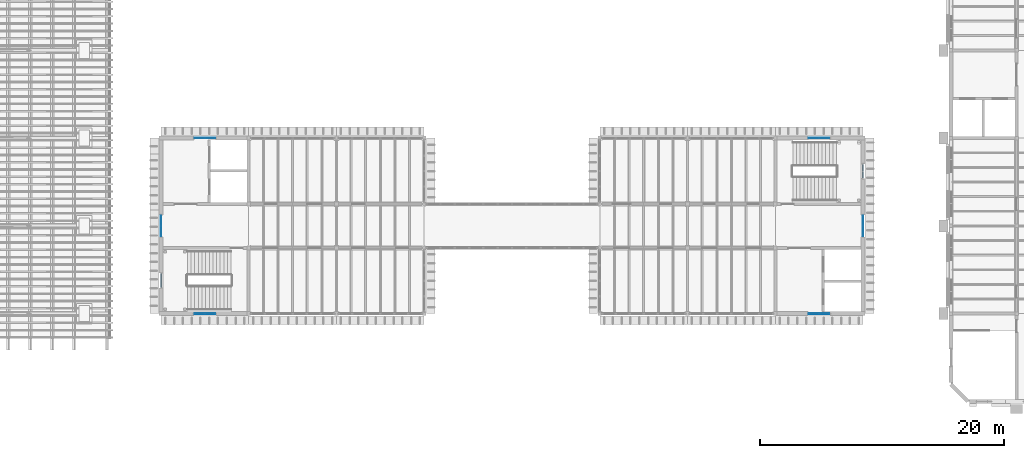
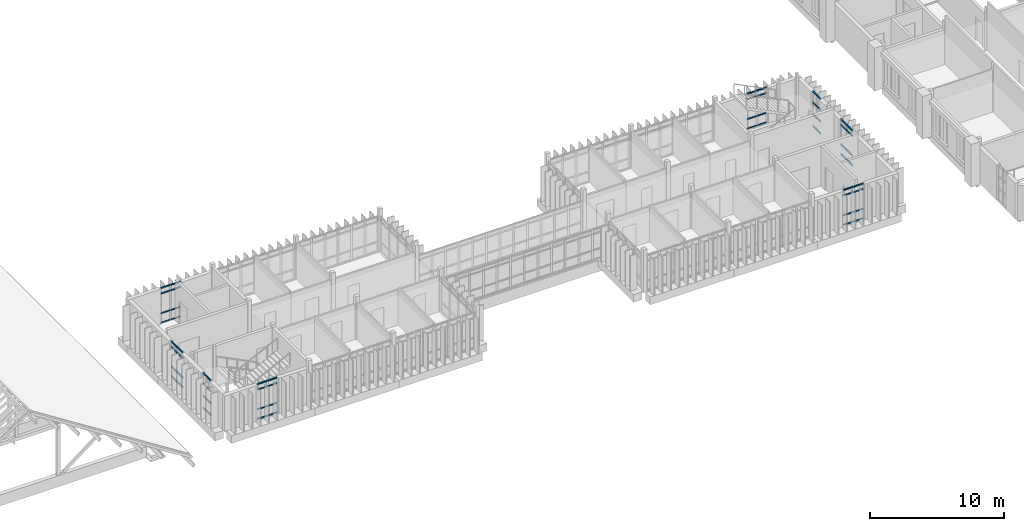
# One storey, part 24 of 71: 64 members, 8 elements without a shape of their own.
"""IFC4 building model written with IfcOpenShell, lengths in metres."""

from ifc_helpers import new_model, si_unit, direction, frame, origin, origin_2d, place, context, subcontext, project, spatial, rectangle, extrude, material, layer, layer_set, material_profile, profile_set, type_object, element, aggregate, save


model = new_model("IFC4")

# Units and contexts
model_context = context("Model", 3, precision=1e-05, world=origin(), true_north=direction((0.0, 1.0)))
body_context = subcontext(model_context, "Body", "Model", "MODEL_VIEW")
ifc_project = project(units=[si_unit("LENGTHUNIT", "METRE"), si_unit("AREAUNIT", "SQUARE_METRE"), si_unit("VOLUMEUNIT", "CUBIC_METRE"), si_unit("PLANEANGLEUNIT", "RADIAN"), si_unit("MASSUNIT", "GRAM", prefix="KILO")], contexts=[model_context])

# Site, building, storey
site_placement = place(None, origin())
site = spatial("IfcSite", under=ifc_project, at=site_placement, CompositionType="ELEMENT")
building_placement = place(site_placement, origin())
building = spatial("IfcBuilding", under=site, at=building_placement, Name="Mazhai Court Health Centre", CompositionType="ELEMENT")
storey_placement = place(building_placement, frame((0.0, 0.0, 10.199951171875)))
storey = spatial("IfcBuildingStorey", under=building, at=storey_placement, Name="L02", CompositionType="ELEMENT", Elevation=10.199951171875)

# Curtain wall, members
ifc_material_1 = material(Name="Teak timber frame, glazed", Category="wood")
ifc_layer_1 = layer(ifc_material_1, 0.10009765625)
ifc_layer_set_1 = layer_set([ifc_layer_1], Name="CURTAIN WALL TIMBER 900")
curtain_wall_type_1 = type_object("IfcCurtainWallType", Name="CURTAIN WALL TIMBER 900", PredefinedType="NOTDEFINED", material=ifc_layer_set_1)
curtain_wall_1_placement = place(storey_placement, origin())
curtain_wall_1 = element("IfcCurtainWall", 1, at=curtain_wall_1_placement, inside=storey, type_object=curtain_wall_type_1, Name="CW-V4-L02-A0", PredefinedType="NOTDEFINED")
ifc_material_2 = material(Name="Teak timber", Category="wood")
ifc_material_profile = material_profile(ifc_material_2, rectangle(XDim=0.06005859375, YDim=0.1201171875, at=origin_2d()), Name="CW TRANSOM 60x120")
ifc_profile_set = profile_set([ifc_material_profile], Name="Teak timber")
member_type = type_object("IfcMemberType", Name="CW TRANSOM 60x120", PredefinedType="USERDEFINED", material=ifc_profile_set)
member_1_placement = place(storey_placement, frame((75.43994140625, 13.39990234375, 0.030029296875), z_axis=(-1.0, 0.0, 0.0), x_axis=(0.0, -1.0, 0.0)))
member_1 = element("IfcMember", 2, at=member_1_placement, type_object=member_type, Name="CW transom 1.1", ObjectType="TRANSOM", PredefinedType="USERDEFINED", context=body_context, shape_type="SweptSolid", body=[
    extrude(rectangle(XDim=0.06005859375, YDim=0.1201171875, at=origin_2d()), origin(), (0.0, 0.0, 1.0), 0.81005859375),
])
member_2_placement = place(storey_placement, frame((75.43994140625, 13.39990234375, 0.900146484375), z_axis=(-1.0, 0.0, 0.0), x_axis=(0.0, -1.0, 0.0)))
member_2 = element("IfcMember", 3, at=member_2_placement, type_object=member_type, Name="CW transom 1.2", ObjectType="TRANSOM", PredefinedType="USERDEFINED", context=body_context, shape_type="SweptSolid", body=[
    extrude(rectangle(XDim=0.06005859375, YDim=0.1201171875, at=origin_2d()), origin(), (0.0, 0.0, 1.0), 0.81005859375),
])
member_3_placement = place(storey_placement, frame((75.43994140625, 13.39990234375, 2.699951171875), z_axis=(-1.0, 0.0, 0.0), x_axis=(0.0, -1.0, 0.0)))
member_3 = element("IfcMember", 4, at=member_3_placement, type_object=member_type, Name="CW transom 1.3", ObjectType="TRANSOM", PredefinedType="USERDEFINED", context=body_context, shape_type="SweptSolid", body=[
    extrude(rectangle(XDim=0.06005859375, YDim=0.1201171875, at=origin_2d()), origin(), (0.0, 0.0, 1.0), 0.81005859375),
])
member_4_placement = place(storey_placement, frame((75.43994140625, 13.39990234375, 3.18994140625), z_axis=(-1.0, 0.0, 0.0), x_axis=(0.0, -1.0, 0.0)))
member_4 = element("IfcMember", 5, at=member_4_placement, type_object=member_type, Name="CW transom 1.4", ObjectType="TRANSOM", PredefinedType="USERDEFINED", context=body_context, shape_type="SweptSolid", body=[
    extrude(rectangle(XDim=0.06005859375, YDim=0.1201171875, at=origin_2d()), origin(), (0.0, 0.0, 1.0), 0.81005859375),
])
member_5_placement = place(storey_placement, frame((74.570068359375, 13.39990234375, 0.030029296875), z_axis=(-1.0, 0.0, 0.0), x_axis=(0.0, -1.0, 0.0)))
member_5 = element("IfcMember", 6, at=member_5_placement, type_object=member_type, Name="CW transom 2.1", ObjectType="TRANSOM", PredefinedType="USERDEFINED", context=body_context, shape_type="SweptSolid", body=[
    extrude(rectangle(XDim=0.06005859375, YDim=0.1201171875, at=origin_2d()), origin(), (0.0, 0.0, 1.0), 0.81005859375),
])
member_6_placement = place(storey_placement, frame((74.570068359375, 13.39990234375, 0.900146484375), z_axis=(-1.0, 0.0, 0.0), x_axis=(0.0, -1.0, 0.0)))
member_6 = element("IfcMember", 7, at=member_6_placement, type_object=member_type, Name="CW transom 2.2", ObjectType="TRANSOM", PredefinedType="USERDEFINED", context=body_context, shape_type="SweptSolid", body=[
    extrude(rectangle(XDim=0.06005859375, YDim=0.1201171875, at=origin_2d()), origin(), (0.0, 0.0, 1.0), 0.81005859375),
])
member_7_placement = place(storey_placement, frame((74.570068359375, 13.39990234375, 2.699951171875), z_axis=(-1.0, 0.0, 0.0), x_axis=(0.0, -1.0, 0.0)))
member_7 = element("IfcMember", 8, at=member_7_placement, type_object=member_type, Name="CW transom 2.3", ObjectType="TRANSOM", PredefinedType="USERDEFINED", context=body_context, shape_type="SweptSolid", body=[
    extrude(rectangle(XDim=0.06005859375, YDim=0.1201171875, at=origin_2d()), origin(), (0.0, 0.0, 1.0), 0.81005859375),
])
member_8_placement = place(storey_placement, frame((74.570068359375, 13.39990234375, 3.18994140625), z_axis=(-1.0, 0.0, 0.0), x_axis=(0.0, -1.0, 0.0)))
member_8 = element("IfcMember", 9, at=member_8_placement, type_object=member_type, Name="CW transom 2.4", ObjectType="TRANSOM", PredefinedType="USERDEFINED", context=body_context, shape_type="SweptSolid", body=[
    extrude(rectangle(XDim=0.06005859375, YDim=0.1201171875, at=origin_2d()), origin(), (0.0, 0.0, 1.0), 0.81005859375),
])
aggregate(curtain_wall_1, [member_1, member_2, member_3, member_4, member_5, member_6, member_7, member_8])

curtain_wall_2_placement = place(storey_placement, origin())
curtain_wall_2 = element("IfcCurtainWall", 10, at=curtain_wall_2_placement, inside=storey, type_object=curtain_wall_type_1, Name="CW-V4-L02-A7", PredefinedType="NOTDEFINED")
member_9_placement = place(storey_placement, frame((125.840087890625, 13.39990234375, 0.030029296875), z_axis=(-1.0, 0.0, 0.0), x_axis=(0.0, -1.0, 0.0)))
member_9 = element("IfcMember", 11, at=member_9_placement, type_object=member_type, Name="CW transom 1.1", ObjectType="TRANSOM", PredefinedType="USERDEFINED", context=body_context, shape_type="SweptSolid", body=[
    extrude(rectangle(XDim=0.06005859375, YDim=0.1201171875, at=origin_2d()), origin(), (0.0, 0.0, 1.0), 0.81005859375),
])
member_10_placement = place(storey_placement, frame((125.840087890625, 13.39990234375, 0.900146484375), z_axis=(-1.0, 0.0, 0.0), x_axis=(0.0, -1.0, 0.0)))
member_10 = element("IfcMember", 12, at=member_10_placement, type_object=member_type, Name="CW transom 1.2", ObjectType="TRANSOM", PredefinedType="USERDEFINED", context=body_context, shape_type="SweptSolid", body=[
    extrude(rectangle(XDim=0.06005859375, YDim=0.1201171875, at=origin_2d()), origin(), (0.0, 0.0, 1.0), 0.81005859375),
])
member_11_placement = place(storey_placement, frame((125.840087890625, 13.39990234375, 2.699951171875), z_axis=(-1.0, 0.0, 0.0), x_axis=(0.0, -1.0, 0.0)))
member_11 = element("IfcMember", 13, at=member_11_placement, type_object=member_type, Name="CW transom 1.3", ObjectType="TRANSOM", PredefinedType="USERDEFINED", context=body_context, shape_type="SweptSolid", body=[
    extrude(rectangle(XDim=0.06005859375, YDim=0.1201171875, at=origin_2d()), origin(), (0.0, 0.0, 1.0), 0.81005859375),
])
member_12_placement = place(storey_placement, frame((125.840087890625, 13.39990234375, 3.18994140625), z_axis=(-1.0, 0.0, 0.0), x_axis=(0.0, -1.0, 0.0)))
member_12 = element("IfcMember", 14, at=member_12_placement, type_object=member_type, Name="CW transom 1.4", ObjectType="TRANSOM", PredefinedType="USERDEFINED", context=body_context, shape_type="SweptSolid", body=[
    extrude(rectangle(XDim=0.06005859375, YDim=0.1201171875, at=origin_2d()), origin(), (0.0, 0.0, 1.0), 0.81005859375),
])
member_13_placement = place(storey_placement, frame((124.969970703125, 13.39990234375, 0.030029296875), z_axis=(-1.0, 0.0, 0.0), x_axis=(0.0, -1.0, 0.0)))
member_13 = element("IfcMember", 15, at=member_13_placement, type_object=member_type, Name="CW transom 2.1", ObjectType="TRANSOM", PredefinedType="USERDEFINED", context=body_context, shape_type="SweptSolid", body=[
    extrude(rectangle(XDim=0.06005859375, YDim=0.1201171875, at=origin_2d()), origin(), (0.0, 0.0, 1.0), 0.81005859375),
])
member_14_placement = place(storey_placement, frame((124.969970703125, 13.39990234375, 0.900146484375), z_axis=(-1.0, 0.0, 0.0), x_axis=(0.0, -1.0, 0.0)))
member_14 = element("IfcMember", 16, at=member_14_placement, type_object=member_type, Name="CW transom 2.2", ObjectType="TRANSOM", PredefinedType="USERDEFINED", context=body_context, shape_type="SweptSolid", body=[
    extrude(rectangle(XDim=0.06005859375, YDim=0.1201171875, at=origin_2d()), origin(), (0.0, 0.0, 1.0), 0.81005859375),
])
member_15_placement = place(storey_placement, frame((124.969970703125, 13.39990234375, 2.699951171875), z_axis=(-1.0, 0.0, 0.0), x_axis=(0.0, -1.0, 0.0)))
member_15 = element("IfcMember", 17, at=member_15_placement, type_object=member_type, Name="CW transom 2.3", ObjectType="TRANSOM", PredefinedType="USERDEFINED", context=body_context, shape_type="SweptSolid", body=[
    extrude(rectangle(XDim=0.06005859375, YDim=0.1201171875, at=origin_2d()), origin(), (0.0, 0.0, 1.0), 0.81005859375),
])
member_16_placement = place(storey_placement, frame((124.969970703125, 13.39990234375, 3.18994140625), z_axis=(-1.0, 0.0, 0.0), x_axis=(0.0, -1.0, 0.0)))
member_16 = element("IfcMember", 18, at=member_16_placement, type_object=member_type, Name="CW transom 2.4", ObjectType="TRANSOM", PredefinedType="USERDEFINED", context=body_context, shape_type="SweptSolid", body=[
    extrude(rectangle(XDim=0.06005859375, YDim=0.1201171875, at=origin_2d()), origin(), (0.0, 0.0, 1.0), 0.81005859375),
])
aggregate(curtain_wall_2, [member_9, member_10, member_11, member_12, member_13, member_14, member_15, member_16])

curtain_wall_3_placement = place(storey_placement, origin())
curtain_wall_3 = element("IfcCurtainWall", 19, at=curtain_wall_3_placement, inside=storey, type_object=curtain_wall_type_1, Name="CW-V4-L02-B0", PredefinedType="NOTDEFINED")
member_17_placement = place(storey_placement, frame((73.760009765625, 27.800048828125, 0.030029296875), z_axis=(1.0, 0.0, 0.0), x_axis=(0.0, 1.0, 0.0)))
member_17 = element("IfcMember", 20, at=member_17_placement, type_object=member_type, Name="CW transom 1.1", ObjectType="TRANSOM", PredefinedType="USERDEFINED", context=body_context, shape_type="SweptSolid", body=[
    extrude(rectangle(XDim=0.06005859375, YDim=0.1201171875, at=origin_2d()), origin(), (0.0, 0.0, 1.0), 0.81005859375),
])
member_18_placement = place(storey_placement, frame((73.760009765625, 27.800048828125, 0.900146484375), z_axis=(1.0, 0.0, 0.0), x_axis=(0.0, 1.0, 0.0)))
member_18 = element("IfcMember", 21, at=member_18_placement, type_object=member_type, Name="CW transom 1.2", ObjectType="TRANSOM", PredefinedType="USERDEFINED", context=body_context, shape_type="SweptSolid", body=[
    extrude(rectangle(XDim=0.06005859375, YDim=0.1201171875, at=origin_2d()), origin(), (0.0, 0.0, 1.0), 0.81005859375),
])
member_19_placement = place(storey_placement, frame((73.760009765625, 27.800048828125, 2.699951171875), z_axis=(1.0, 0.0, 0.0), x_axis=(0.0, 1.0, 0.0)))
member_19 = element("IfcMember", 22, at=member_19_placement, type_object=member_type, Name="CW transom 1.3", ObjectType="TRANSOM", PredefinedType="USERDEFINED", context=body_context, shape_type="SweptSolid", body=[
    extrude(rectangle(XDim=0.06005859375, YDim=0.1201171875, at=origin_2d()), origin(), (0.0, 0.0, 1.0), 0.81005859375),
])
member_20_placement = place(storey_placement, frame((73.760009765625, 27.800048828125, 3.18994140625), z_axis=(1.0, 0.0, 0.0), x_axis=(0.0, 1.0, 0.0)))
member_20 = element("IfcMember", 23, at=member_20_placement, type_object=member_type, Name="CW transom 1.4", ObjectType="TRANSOM", PredefinedType="USERDEFINED", context=body_context, shape_type="SweptSolid", body=[
    extrude(rectangle(XDim=0.06005859375, YDim=0.1201171875, at=origin_2d()), origin(), (0.0, 0.0, 1.0), 0.81005859375),
])
member_21_placement = place(storey_placement, frame((74.6298828125, 27.800048828125, 0.030029296875), z_axis=(1.0, 0.0, 0.0), x_axis=(0.0, 1.0, 0.0)))
member_21 = element("IfcMember", 24, at=member_21_placement, type_object=member_type, Name="CW transom 2.1", ObjectType="TRANSOM", PredefinedType="USERDEFINED", context=body_context, shape_type="SweptSolid", body=[
    extrude(rectangle(XDim=0.06005859375, YDim=0.1201171875, at=origin_2d()), origin(), (0.0, 0.0, 1.0), 0.81005859375),
])
member_22_placement = place(storey_placement, frame((74.6298828125, 27.800048828125, 0.900146484375), z_axis=(1.0, 0.0, 0.0), x_axis=(0.0, 1.0, 0.0)))
member_22 = element("IfcMember", 25, at=member_22_placement, type_object=member_type, Name="CW transom 2.2", ObjectType="TRANSOM", PredefinedType="USERDEFINED", context=body_context, shape_type="SweptSolid", body=[
    extrude(rectangle(XDim=0.06005859375, YDim=0.1201171875, at=origin_2d()), origin(), (0.0, 0.0, 1.0), 0.81005859375),
])
member_23_placement = place(storey_placement, frame((74.6298828125, 27.800048828125, 2.699951171875), z_axis=(1.0, 0.0, 0.0), x_axis=(0.0, 1.0, 0.0)))
member_23 = element("IfcMember", 26, at=member_23_placement, type_object=member_type, Name="CW transom 2.3", ObjectType="TRANSOM", PredefinedType="USERDEFINED", context=body_context, shape_type="SweptSolid", body=[
    extrude(rectangle(XDim=0.06005859375, YDim=0.1201171875, at=origin_2d()), origin(), (0.0, 0.0, 1.0), 0.81005859375),
])
member_24_placement = place(storey_placement, frame((74.6298828125, 27.800048828125, 3.18994140625), z_axis=(1.0, 0.0, 0.0), x_axis=(0.0, 1.0, 0.0)))
member_24 = element("IfcMember", 27, at=member_24_placement, type_object=member_type, Name="CW transom 2.4", ObjectType="TRANSOM", PredefinedType="USERDEFINED", context=body_context, shape_type="SweptSolid", body=[
    extrude(rectangle(XDim=0.06005859375, YDim=0.1201171875, at=origin_2d()), origin(), (0.0, 0.0, 1.0), 0.81005859375),
])
aggregate(curtain_wall_3, [member_17, member_18, member_19, member_20, member_21, member_22, member_23, member_24])

curtain_wall_4_placement = place(storey_placement, origin())
curtain_wall_4 = element("IfcCurtainWall", 28, at=curtain_wall_4_placement, inside=storey, type_object=curtain_wall_type_1, Name="CW-V4-L02-B7", PredefinedType="NOTDEFINED")
member_25_placement = place(storey_placement, frame((124.159912109375, 27.800048828125, 0.030029296875), z_axis=(1.0, 0.0, 0.0), x_axis=(0.0, 1.0, 0.0)))
member_25 = element("IfcMember", 29, at=member_25_placement, type_object=member_type, Name="CW transom 1.1", ObjectType="TRANSOM", PredefinedType="USERDEFINED", context=body_context, shape_type="SweptSolid", body=[
    extrude(rectangle(XDim=0.06005859375, YDim=0.1201171875, at=origin_2d()), origin(), (0.0, 0.0, 1.0), 0.81005859375),
])
member_26_placement = place(storey_placement, frame((124.159912109375, 27.800048828125, 0.900146484375), z_axis=(1.0, 0.0, 0.0), x_axis=(0.0, 1.0, 0.0)))
member_26 = element("IfcMember", 30, at=member_26_placement, type_object=member_type, Name="CW transom 1.2", ObjectType="TRANSOM", PredefinedType="USERDEFINED", context=body_context, shape_type="SweptSolid", body=[
    extrude(rectangle(XDim=0.06005859375, YDim=0.1201171875, at=origin_2d()), origin(), (0.0, 0.0, 1.0), 0.81005859375),
])
member_27_placement = place(storey_placement, frame((124.159912109375, 27.800048828125, 2.699951171875), z_axis=(1.0, 0.0, 0.0), x_axis=(0.0, 1.0, 0.0)))
member_27 = element("IfcMember", 31, at=member_27_placement, type_object=member_type, Name="CW transom 1.3", ObjectType="TRANSOM", PredefinedType="USERDEFINED", context=body_context, shape_type="SweptSolid", body=[
    extrude(rectangle(XDim=0.06005859375, YDim=0.1201171875, at=origin_2d()), origin(), (0.0, 0.0, 1.0), 0.81005859375),
])
member_28_placement = place(storey_placement, frame((124.159912109375, 27.800048828125, 3.18994140625), z_axis=(1.0, 0.0, 0.0), x_axis=(0.0, 1.0, 0.0)))
member_28 = element("IfcMember", 32, at=member_28_placement, type_object=member_type, Name="CW transom 1.4", ObjectType="TRANSOM", PredefinedType="USERDEFINED", context=body_context, shape_type="SweptSolid", body=[
    extrude(rectangle(XDim=0.06005859375, YDim=0.1201171875, at=origin_2d()), origin(), (0.0, 0.0, 1.0), 0.81005859375),
])
member_29_placement = place(storey_placement, frame((125.030029296875, 27.800048828125, 0.030029296875), z_axis=(1.0, 0.0, 0.0), x_axis=(0.0, 1.0, 0.0)))
member_29 = element("IfcMember", 33, at=member_29_placement, type_object=member_type, Name="CW transom 2.1", ObjectType="TRANSOM", PredefinedType="USERDEFINED", context=body_context, shape_type="SweptSolid", body=[
    extrude(rectangle(XDim=0.06005859375, YDim=0.1201171875, at=origin_2d()), origin(), (0.0, 0.0, 1.0), 0.81005859375),
])
member_30_placement = place(storey_placement, frame((125.030029296875, 27.800048828125, 0.900146484375), z_axis=(1.0, 0.0, 0.0), x_axis=(0.0, 1.0, 0.0)))
member_30 = element("IfcMember", 34, at=member_30_placement, type_object=member_type, Name="CW transom 2.2", ObjectType="TRANSOM", PredefinedType="USERDEFINED", context=body_context, shape_type="SweptSolid", body=[
    extrude(rectangle(XDim=0.06005859375, YDim=0.1201171875, at=origin_2d()), origin(), (0.0, 0.0, 1.0), 0.81005859375),
])
member_31_placement = place(storey_placement, frame((125.030029296875, 27.800048828125, 2.699951171875), z_axis=(1.0, 0.0, 0.0), x_axis=(0.0, 1.0, 0.0)))
member_31 = element("IfcMember", 35, at=member_31_placement, type_object=member_type, Name="CW transom 2.3", ObjectType="TRANSOM", PredefinedType="USERDEFINED", context=body_context, shape_type="SweptSolid", body=[
    extrude(rectangle(XDim=0.06005859375, YDim=0.1201171875, at=origin_2d()), origin(), (0.0, 0.0, 1.0), 0.81005859375),
])
member_32_placement = place(storey_placement, frame((125.030029296875, 27.800048828125, 3.18994140625), z_axis=(1.0, 0.0, 0.0), x_axis=(0.0, 1.0, 0.0)))
member_32 = element("IfcMember", 36, at=member_32_placement, type_object=member_type, Name="CW transom 2.4", ObjectType="TRANSOM", PredefinedType="USERDEFINED", context=body_context, shape_type="SweptSolid", body=[
    extrude(rectangle(XDim=0.06005859375, YDim=0.1201171875, at=origin_2d()), origin(), (0.0, 0.0, 1.0), 0.81005859375),
])
aggregate(curtain_wall_4, [member_25, member_26, member_27, member_28, member_29, member_30, member_31, member_32])

ifc_material_3 = material(Name="Teak timber frame, glazed", Category="wood")
ifc_layer_2 = layer(ifc_material_3, 0.10009765625)
ifc_layer_set_2 = layer_set([ifc_layer_2], Name="CURTAIN WALL TIMBER 600")
curtain_wall_type_2 = type_object("IfcCurtainWallType", Name="CURTAIN WALL TIMBER 600", PredefinedType="NOTDEFINED", material=ifc_layer_set_2)
curtain_wall_5_placement = place(storey_placement, origin())
curtain_wall_5 = element("IfcCurtainWall", 37, at=curtain_wall_5_placement, inside=storey, type_object=curtain_wall_type_2, Name="CW-V4-L02-SSTAIR0", PredefinedType="NOTDEFINED")
member_33_placement = place(storey_placement, frame((71.0, 15.580078125, 0.030029296875), z_axis=(0.0, 1.0, 0.0), x_axis=(-1.0, 0.0, 0.0)))
member_33 = element("IfcMember", 38, at=member_33_placement, type_object=member_type, Name="CW transom 1.1", ObjectType="TRANSOM", PredefinedType="USERDEFINED", context=body_context, shape_type="SweptSolid", body=[
    extrude(rectangle(XDim=0.06005859375, YDim=0.1201171875, at=origin_2d()), origin(), (0.0, 0.0, 1.0), 0.510009765625),
])
member_34_placement = place(storey_placement, frame((71.0, 15.580078125, 1.10009765625), z_axis=(0.0, 1.0, 0.0), x_axis=(-1.0, 0.0, 0.0)))
member_34 = element("IfcMember", 39, at=member_34_placement, type_object=member_type, Name="CW transom 1.2", ObjectType="TRANSOM", PredefinedType="USERDEFINED", context=body_context, shape_type="SweptSolid", body=[
    extrude(rectangle(XDim=0.06005859375, YDim=0.1201171875, at=origin_2d()), origin(), (0.0, 0.0, 1.0), 0.510009765625),
])
member_35_placement = place(storey_placement, frame((71.0, 15.580078125, 2.199951171875), z_axis=(0.0, 1.0, 0.0), x_axis=(-1.0, 0.0, 0.0)))
member_35 = element("IfcMember", 40, at=member_35_placement, type_object=member_type, Name="CW transom 1.3", ObjectType="TRANSOM", PredefinedType="USERDEFINED", context=body_context, shape_type="SweptSolid", body=[
    extrude(rectangle(XDim=0.06005859375, YDim=0.1201171875, at=origin_2d()), origin(), (0.0, 0.0, 1.0), 0.510009765625),
])
member_36_placement = place(storey_placement, frame((71.0, 15.580078125, 3.170166015625), z_axis=(0.0, 1.0, 0.0), x_axis=(-1.0, 0.0, 0.0)))
member_36 = element("IfcMember", 41, at=member_36_placement, type_object=member_type, Name="CW transom 1.4", ObjectType="TRANSOM", PredefinedType="USERDEFINED", context=body_context, shape_type="SweptSolid", body=[
    extrude(rectangle(XDim=0.06005859375, YDim=0.1201171875, at=origin_2d()), origin(), (0.0, 0.0, 1.0), 0.510009765625),
])
member_37_placement = place(storey_placement, frame((71.0, 16.14990234375, 0.030029296875), z_axis=(0.0, 1.0, 0.0), x_axis=(-1.0, 0.0, 0.0)))
member_37 = element("IfcMember", 42, at=member_37_placement, type_object=member_type, Name="CW transom 2.1", ObjectType="TRANSOM", PredefinedType="USERDEFINED", context=body_context, shape_type="SweptSolid", body=[
    extrude(rectangle(XDim=0.06005859375, YDim=0.1201171875, at=origin_2d()), origin(), (0.0, 0.0, 1.0), 0.510009765625),
])
member_38_placement = place(storey_placement, frame((71.0, 16.14990234375, 1.10009765625), z_axis=(0.0, 1.0, 0.0), x_axis=(-1.0, 0.0, 0.0)))
member_38 = element("IfcMember", 43, at=member_38_placement, type_object=member_type, Name="CW transom 2.2", ObjectType="TRANSOM", PredefinedType="USERDEFINED", context=body_context, shape_type="SweptSolid", body=[
    extrude(rectangle(XDim=0.06005859375, YDim=0.1201171875, at=origin_2d()), origin(), (0.0, 0.0, 1.0), 0.510009765625),
])
member_39_placement = place(storey_placement, frame((71.0, 16.14990234375, 2.199951171875), z_axis=(0.0, 1.0, 0.0), x_axis=(-1.0, 0.0, 0.0)))
member_39 = element("IfcMember", 44, at=member_39_placement, type_object=member_type, Name="CW transom 2.3", ObjectType="TRANSOM", PredefinedType="USERDEFINED", context=body_context, shape_type="SweptSolid", body=[
    extrude(rectangle(XDim=0.06005859375, YDim=0.1201171875, at=origin_2d()), origin(), (0.0, 0.0, 1.0), 0.510009765625),
])
member_40_placement = place(storey_placement, frame((71.0, 16.14990234375, 3.170166015625), z_axis=(0.0, 1.0, 0.0), x_axis=(-1.0, 0.0, 0.0)))
member_40 = element("IfcMember", 45, at=member_40_placement, type_object=member_type, Name="CW transom 2.4", ObjectType="TRANSOM", PredefinedType="USERDEFINED", context=body_context, shape_type="SweptSolid", body=[
    extrude(rectangle(XDim=0.06005859375, YDim=0.1201171875, at=origin_2d()), origin(), (0.0, 0.0, 1.0), 0.510009765625),
])
aggregate(curtain_wall_5, [member_33, member_34, member_35, member_36, member_37, member_38, member_39, member_40])

curtain_wall_6_placement = place(storey_placement, origin())
curtain_wall_6 = element("IfcCurtainWall", 46, at=curtain_wall_6_placement, inside=storey, type_object=curtain_wall_type_1, Name="CW-V4-L02-SLIFT1", PredefinedType="NOTDEFINED")
member_41_placement = place(storey_placement, frame((71.0, 19.760009765625, 0.030029296875), z_axis=(0.0, 1.0, 0.0), x_axis=(-1.0, 0.0, 0.0)))
member_41 = element("IfcMember", 47, at=member_41_placement, type_object=member_type, Name="CW transom 1.1", ObjectType="TRANSOM", PredefinedType="USERDEFINED", context=body_context, shape_type="SweptSolid", body=[
    extrude(rectangle(XDim=0.06005859375, YDim=0.1201171875, at=origin_2d()), origin(), (0.0, 0.0, 1.0), 0.81005859375),
])
member_42_placement = place(storey_placement, frame((71.0, 19.760009765625, 0.900146484375), z_axis=(0.0, 1.0, 0.0), x_axis=(-1.0, 0.0, 0.0)))
member_42 = element("IfcMember", 48, at=member_42_placement, type_object=member_type, Name="CW transom 1.2", ObjectType="TRANSOM", PredefinedType="USERDEFINED", context=body_context, shape_type="SweptSolid", body=[
    extrude(rectangle(XDim=0.06005859375, YDim=0.1201171875, at=origin_2d()), origin(), (0.0, 0.0, 1.0), 0.81005859375),
])
member_43_placement = place(storey_placement, frame((71.0, 19.760009765625, 2.699951171875), z_axis=(0.0, 1.0, 0.0), x_axis=(-1.0, 0.0, 0.0)))
member_43 = element("IfcMember", 49, at=member_43_placement, type_object=member_type, Name="CW transom 1.3", ObjectType="TRANSOM", PredefinedType="USERDEFINED", context=body_context, shape_type="SweptSolid", body=[
    extrude(rectangle(XDim=0.06005859375, YDim=0.1201171875, at=origin_2d()), origin(), (0.0, 0.0, 1.0), 0.81005859375),
])
member_44_placement = place(storey_placement, frame((71.0, 19.760009765625, 3.170166015625), z_axis=(0.0, 1.0, 0.0), x_axis=(-1.0, 0.0, 0.0)))
member_44 = element("IfcMember", 50, at=member_44_placement, type_object=member_type, Name="CW transom 1.4", ObjectType="TRANSOM", PredefinedType="USERDEFINED", context=body_context, shape_type="SweptSolid", body=[
    extrude(rectangle(XDim=0.06005859375, YDim=0.1201171875, at=origin_2d()), origin(), (0.0, 0.0, 1.0), 0.81005859375),
])
member_45_placement = place(storey_placement, frame((71.0, 20.6298828125, 0.030029296875), z_axis=(0.0, 1.0, 0.0), x_axis=(-1.0, 0.0, 0.0)))
member_45 = element("IfcMember", 51, at=member_45_placement, type_object=member_type, Name="CW transom 2.1", ObjectType="TRANSOM", PredefinedType="USERDEFINED", context=body_context, shape_type="SweptSolid", body=[
    extrude(rectangle(XDim=0.06005859375, YDim=0.1201171875, at=origin_2d()), origin(), (0.0, 0.0, 1.0), 0.81005859375),
])
member_46_placement = place(storey_placement, frame((71.0, 20.6298828125, 0.900146484375), z_axis=(0.0, 1.0, 0.0), x_axis=(-1.0, 0.0, 0.0)))
member_46 = element("IfcMember", 52, at=member_46_placement, type_object=member_type, Name="CW transom 2.2", ObjectType="TRANSOM", PredefinedType="USERDEFINED", context=body_context, shape_type="SweptSolid", body=[
    extrude(rectangle(XDim=0.06005859375, YDim=0.1201171875, at=origin_2d()), origin(), (0.0, 0.0, 1.0), 0.81005859375),
])
member_47_placement = place(storey_placement, frame((71.0, 20.6298828125, 2.699951171875), z_axis=(0.0, 1.0, 0.0), x_axis=(-1.0, 0.0, 0.0)))
member_47 = element("IfcMember", 53, at=member_47_placement, type_object=member_type, Name="CW transom 2.3", ObjectType="TRANSOM", PredefinedType="USERDEFINED", context=body_context, shape_type="SweptSolid", body=[
    extrude(rectangle(XDim=0.06005859375, YDim=0.1201171875, at=origin_2d()), origin(), (0.0, 0.0, 1.0), 0.81005859375),
])
member_48_placement = place(storey_placement, frame((71.0, 20.6298828125, 3.170166015625), z_axis=(0.0, 1.0, 0.0), x_axis=(-1.0, 0.0, 0.0)))
member_48 = element("IfcMember", 54, at=member_48_placement, type_object=member_type, Name="CW transom 2.4", ObjectType="TRANSOM", PredefinedType="USERDEFINED", context=body_context, shape_type="SweptSolid", body=[
    extrude(rectangle(XDim=0.06005859375, YDim=0.1201171875, at=origin_2d()), origin(), (0.0, 0.0, 1.0), 0.81005859375),
])
aggregate(curtain_wall_6, [member_41, member_42, member_43, member_44, member_45, member_46, member_47, member_48])

curtain_wall_7_placement = place(storey_placement, origin())
curtain_wall_7 = element("IfcCurtainWall", 55, at=curtain_wall_7_placement, inside=storey, type_object=curtain_wall_type_1, Name="CW-V4-L02-ELIFT0", PredefinedType="NOTDEFINED")
member_49_placement = place(storey_placement, frame((128.60009765625, 21.43994140625, 0.030029296875), z_axis=(0.0, -1.0, 0.0), x_axis=(1.0, 0.0, 0.0)))
member_49 = element("IfcMember", 56, at=member_49_placement, type_object=member_type, Name="CW transom 1.1", ObjectType="TRANSOM", PredefinedType="USERDEFINED", context=body_context, shape_type="SweptSolid", body=[
    extrude(rectangle(XDim=0.06005859375, YDim=0.1201171875, at=origin_2d()), origin(), (0.0, 0.0, 1.0), 0.81005859375),
])
member_50_placement = place(storey_placement, frame((128.60009765625, 21.43994140625, 0.900146484375), z_axis=(0.0, -1.0, 0.0), x_axis=(1.0, 0.0, 0.0)))
member_50 = element("IfcMember", 57, at=member_50_placement, type_object=member_type, Name="CW transom 1.2", ObjectType="TRANSOM", PredefinedType="USERDEFINED", context=body_context, shape_type="SweptSolid", body=[
    extrude(rectangle(XDim=0.06005859375, YDim=0.1201171875, at=origin_2d()), origin(), (0.0, 0.0, 1.0), 0.81005859375),
])
member_51_placement = place(storey_placement, frame((128.60009765625, 21.43994140625, 2.699951171875), z_axis=(0.0, -1.0, 0.0), x_axis=(1.0, 0.0, 0.0)))
member_51 = element("IfcMember", 58, at=member_51_placement, type_object=member_type, Name="CW transom 1.3", ObjectType="TRANSOM", PredefinedType="USERDEFINED", context=body_context, shape_type="SweptSolid", body=[
    extrude(rectangle(XDim=0.06005859375, YDim=0.1201171875, at=origin_2d()), origin(), (0.0, 0.0, 1.0), 0.81005859375),
])
member_52_placement = place(storey_placement, frame((128.60009765625, 21.43994140625, 3.170166015625), z_axis=(0.0, -1.0, 0.0), x_axis=(1.0, 0.0, 0.0)))
member_52 = element("IfcMember", 59, at=member_52_placement, type_object=member_type, Name="CW transom 1.4", ObjectType="TRANSOM", PredefinedType="USERDEFINED", context=body_context, shape_type="SweptSolid", body=[
    extrude(rectangle(XDim=0.06005859375, YDim=0.1201171875, at=origin_2d()), origin(), (0.0, 0.0, 1.0), 0.81005859375),
])
member_53_placement = place(storey_placement, frame((128.60009765625, 20.570068359375, 0.030029296875), z_axis=(0.0, -1.0, 0.0), x_axis=(1.0, 0.0, 0.0)))
member_53 = element("IfcMember", 60, at=member_53_placement, type_object=member_type, Name="CW transom 2.1", ObjectType="TRANSOM", PredefinedType="USERDEFINED", context=body_context, shape_type="SweptSolid", body=[
    extrude(rectangle(XDim=0.06005859375, YDim=0.1201171875, at=origin_2d()), origin(), (0.0, 0.0, 1.0), 0.81005859375),
])
member_54_placement = place(storey_placement, frame((128.60009765625, 20.570068359375, 0.900146484375), z_axis=(0.0, -1.0, 0.0), x_axis=(1.0, 0.0, 0.0)))
member_54 = element("IfcMember", 61, at=member_54_placement, type_object=member_type, Name="CW transom 2.2", ObjectType="TRANSOM", PredefinedType="USERDEFINED", context=body_context, shape_type="SweptSolid", body=[
    extrude(rectangle(XDim=0.06005859375, YDim=0.1201171875, at=origin_2d()), origin(), (0.0, 0.0, 1.0), 0.81005859375),
])
member_55_placement = place(storey_placement, frame((128.60009765625, 20.570068359375, 2.699951171875), z_axis=(0.0, -1.0, 0.0), x_axis=(1.0, 0.0, 0.0)))
member_55 = element("IfcMember", 62, at=member_55_placement, type_object=member_type, Name="CW transom 2.3", ObjectType="TRANSOM", PredefinedType="USERDEFINED", context=body_context, shape_type="SweptSolid", body=[
    extrude(rectangle(XDim=0.06005859375, YDim=0.1201171875, at=origin_2d()), origin(), (0.0, 0.0, 1.0), 0.81005859375),
])
member_56_placement = place(storey_placement, frame((128.60009765625, 20.570068359375, 3.170166015625), z_axis=(0.0, -1.0, 0.0), x_axis=(1.0, 0.0, 0.0)))
member_56 = element("IfcMember", 63, at=member_56_placement, type_object=member_type, Name="CW transom 2.4", ObjectType="TRANSOM", PredefinedType="USERDEFINED", context=body_context, shape_type="SweptSolid", body=[
    extrude(rectangle(XDim=0.06005859375, YDim=0.1201171875, at=origin_2d()), origin(), (0.0, 0.0, 1.0), 0.81005859375),
])
aggregate(curtain_wall_7, [member_49, member_50, member_51, member_52, member_53, member_54, member_55, member_56])

curtain_wall_8_placement = place(storey_placement, origin())
curtain_wall_8 = element("IfcCurtainWall", 64, at=curtain_wall_8_placement, inside=storey, type_object=curtain_wall_type_2, Name="CW-V4-L02-ESTAIR1", PredefinedType="NOTDEFINED")
member_57_placement = place(storey_placement, frame((128.60009765625, 25.6201171875, 0.030029296875), z_axis=(0.0, -1.0, 0.0), x_axis=(1.0, 0.0, 0.0)))
member_57 = element("IfcMember", 65, at=member_57_placement, type_object=member_type, Name="CW transom 1.1", ObjectType="TRANSOM", PredefinedType="USERDEFINED", context=body_context, shape_type="SweptSolid", body=[
    extrude(rectangle(XDim=0.06005859375, YDim=0.1201171875, at=origin_2d()), origin(), (0.0, 0.0, 1.0), 0.510009765625),
])
member_58_placement = place(storey_placement, frame((128.60009765625, 25.6201171875, 1.10009765625), z_axis=(0.0, -1.0, 0.0), x_axis=(1.0, 0.0, 0.0)))
member_58 = element("IfcMember", 66, at=member_58_placement, type_object=member_type, Name="CW transom 1.2", ObjectType="TRANSOM", PredefinedType="USERDEFINED", context=body_context, shape_type="SweptSolid", body=[
    extrude(rectangle(XDim=0.06005859375, YDim=0.1201171875, at=origin_2d()), origin(), (0.0, 0.0, 1.0), 0.510009765625),
])
member_59_placement = place(storey_placement, frame((128.60009765625, 25.6201171875, 2.199951171875), z_axis=(0.0, -1.0, 0.0), x_axis=(1.0, 0.0, 0.0)))
member_59 = element("IfcMember", 67, at=member_59_placement, type_object=member_type, Name="CW transom 1.3", ObjectType="TRANSOM", PredefinedType="USERDEFINED", context=body_context, shape_type="SweptSolid", body=[
    extrude(rectangle(XDim=0.06005859375, YDim=0.1201171875, at=origin_2d()), origin(), (0.0, 0.0, 1.0), 0.510009765625),
])
member_60_placement = place(storey_placement, frame((128.60009765625, 25.6201171875, 3.170166015625), z_axis=(0.0, -1.0, 0.0), x_axis=(1.0, 0.0, 0.0)))
member_60 = element("IfcMember", 68, at=member_60_placement, type_object=member_type, Name="CW transom 1.4", ObjectType="TRANSOM", PredefinedType="USERDEFINED", context=body_context, shape_type="SweptSolid", body=[
    extrude(rectangle(XDim=0.06005859375, YDim=0.1201171875, at=origin_2d()), origin(), (0.0, 0.0, 1.0), 0.510009765625),
])
member_61_placement = place(storey_placement, frame((128.60009765625, 25.050048828125, 0.030029296875), z_axis=(0.0, -1.0, 0.0), x_axis=(1.0, 0.0, 0.0)))
member_61 = element("IfcMember", 69, at=member_61_placement, type_object=member_type, Name="CW transom 2.1", ObjectType="TRANSOM", PredefinedType="USERDEFINED", context=body_context, shape_type="SweptSolid", body=[
    extrude(rectangle(XDim=0.06005859375, YDim=0.1201171875, at=origin_2d()), origin(), (0.0, 0.0, 1.0), 0.510009765625),
])
member_62_placement = place(storey_placement, frame((128.60009765625, 25.050048828125, 1.10009765625), z_axis=(0.0, -1.0, 0.0), x_axis=(1.0, 0.0, 0.0)))
member_62 = element("IfcMember", 70, at=member_62_placement, type_object=member_type, Name="CW transom 2.2", ObjectType="TRANSOM", PredefinedType="USERDEFINED", context=body_context, shape_type="SweptSolid", body=[
    extrude(rectangle(XDim=0.06005859375, YDim=0.1201171875, at=origin_2d()), origin(), (0.0, 0.0, 1.0), 0.510009765625),
])
member_63_placement = place(storey_placement, frame((128.60009765625, 25.050048828125, 2.199951171875), z_axis=(0.0, -1.0, 0.0), x_axis=(1.0, 0.0, 0.0)))
member_63 = element("IfcMember", 71, at=member_63_placement, type_object=member_type, Name="CW transom 2.3", ObjectType="TRANSOM", PredefinedType="USERDEFINED", context=body_context, shape_type="SweptSolid", body=[
    extrude(rectangle(XDim=0.06005859375, YDim=0.1201171875, at=origin_2d()), origin(), (0.0, 0.0, 1.0), 0.510009765625),
])
member_64_placement = place(storey_placement, frame((128.60009765625, 25.050048828125, 3.170166015625), z_axis=(0.0, -1.0, 0.0), x_axis=(1.0, 0.0, 0.0)))
member_64 = element("IfcMember", 72, at=member_64_placement, type_object=member_type, Name="CW transom 2.4", ObjectType="TRANSOM", PredefinedType="USERDEFINED", context=body_context, shape_type="SweptSolid", body=[
    extrude(rectangle(XDim=0.06005859375, YDim=0.1201171875, at=origin_2d()), origin(), (0.0, 0.0, 1.0), 0.510009765625),
])
aggregate(curtain_wall_8, [member_57, member_58, member_59, member_60, member_61, member_62, member_63, member_64])

save(model, "model.ifc")
